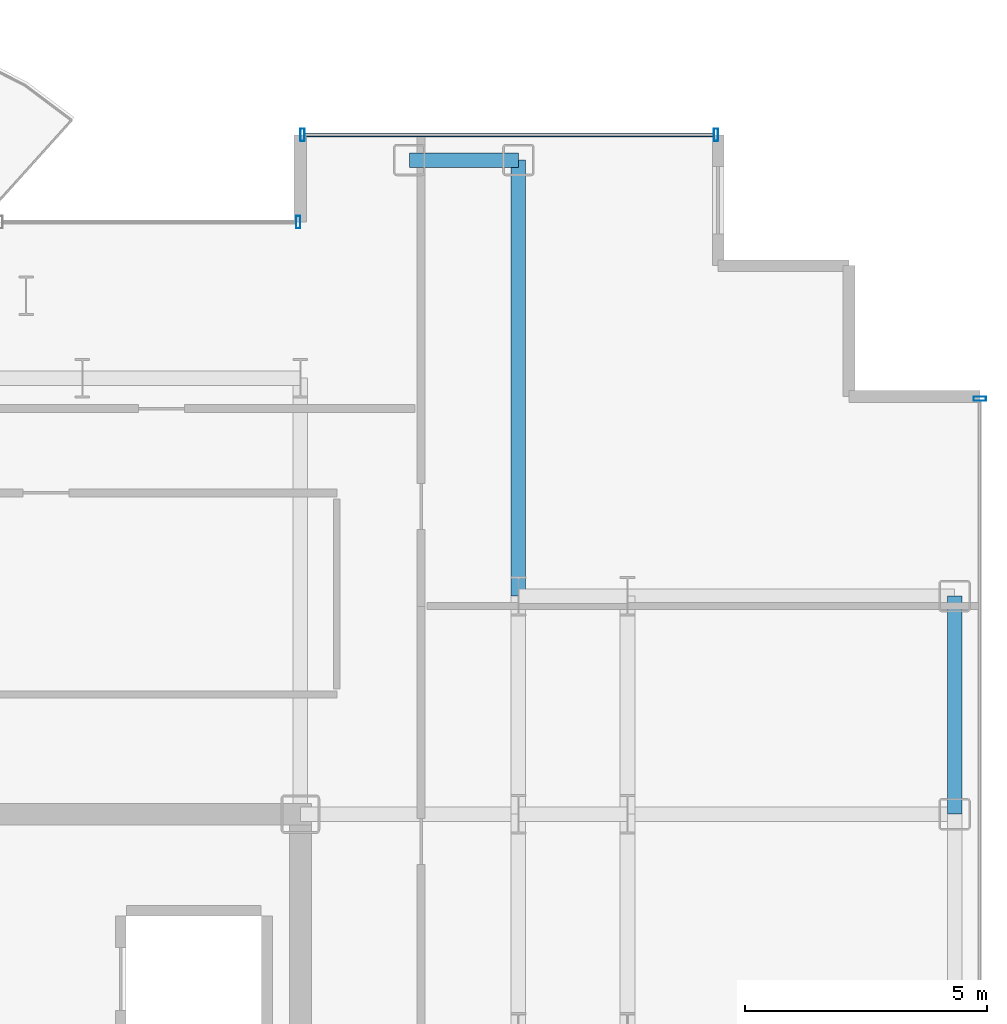
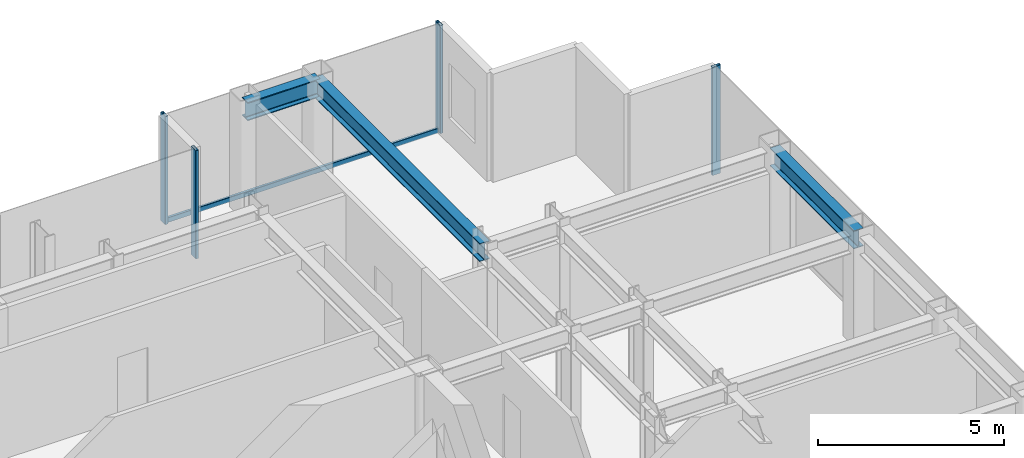
# One storey, part 12 of 20: 5 members, 3 beams, 3 elements without a shape of their own.
"""IFC4 building model written with IfcOpenShell, lengths in metres."""

from ifc_helpers import new_model, si_unit, direction, frame, origin, origin_2d, place, context, subcontext, project, spatial, hollow_rectangle, i_section, extrude, source, transform, mapped, material, layer, layer_set, material_profile, profile_set, type_object, element, aggregate, save


model = new_model("IFC4")

# Units and contexts
model_context = context("Model", 3, precision=1e-05, world=origin(), true_north=direction((0.0, 1.0)))
body_context = subcontext(model_context, "Body", "Model", "MODEL_VIEW")
ifc_project = project(units=[si_unit("LENGTHUNIT", "METRE"), si_unit("AREAUNIT", "SQUARE_METRE"), si_unit("VOLUMEUNIT", "CUBIC_METRE"), si_unit("PLANEANGLEUNIT", "RADIAN"), si_unit("MASSUNIT", "GRAM", prefix="KILO")], contexts=[model_context])

# Site, building, storey
site_placement = place(None, origin())
site = spatial("IfcSite", under=ifc_project, at=site_placement, CompositionType="ELEMENT")
building_placement = place(site_placement, origin())
building = spatial("IfcBuilding", under=site, at=building_placement, Name="Nefas-Gora Pilgrimage Tower", CompositionType="ELEMENT")
storey_placement = place(building_placement, frame((0.0, 0.0, 225.60009765625)))
storey = spatial("IfcBuildingStorey", under=building, at=storey_placement, Name="L56", CompositionType="ELEMENT", Elevation=225.60009765625)

# Beams
ifc_material_1 = material(Name="Steel S355", Category="steel")
ifc_material_profile_1 = material_profile(ifc_material_1, i_section(OverallWidth=0.300048828125, OverallDepth=0.60009765625, WebThickness=0.015380859375, FlangeThickness=0.030029296875, FilletRadius=0.027099609375, at=origin_2d()), Name="HEB 600")
ifc_profile_set_1 = profile_set([ifc_material_profile_1], Name="Steel S355")
beam_type_1 = type_object("IfcBeamType", Name="BM-SPN-HEB450", PredefinedType="SPANDREL", material=ifc_profile_set_1)
shared_shape_1 = source(origin(), body_context, "Body", "SweptSolid", [
    extrude(i_section(OverallWidth=0.300048828125, OverallDepth=0.60009765625, WebThickness=0.015380859375, FlangeThickness=0.030029296875, FilletRadius=0.027099609375, at=origin_2d()), origin(), (0.0, 0.0, 1.0), 4.5),
])
beam_1_placement = place(storey_placement, frame((24.75, 9.0, 3.25), z_axis=(0.0, 1.0, 0.0), x_axis=(-1.0, 0.0, 0.0)))
element("IfcBeam", 1, at=beam_1_placement, inside=storey, type_object=beam_type_1, Name="L56 SP-03 beam", PredefinedType="SPANDREL", context=body_context, shape_type="MappedRepresentation", body=[
    mapped(shared_shape_1, transform((0.0, 0.0, 0.0), x_axis=(1.0, 0.0, 0.0), y_axis=(0.0, 1.0, 0.0), z_axis=(0.0, 0.0, 1.0), scale=1.0)),
])
ifc_material_profile_2 = material_profile(ifc_material_1, i_section(OverallWidth=0.300048828125, OverallDepth=0.60009765625, WebThickness=0.015380859375, FlangeThickness=0.030029296875, FilletRadius=0.027099609375, at=origin_2d()), Name="HEB 600")
ifc_profile_set_2 = profile_set([ifc_material_profile_2], Name="Steel S355")
beam_type_2 = type_object("IfcBeamType", Name="BM-GIR-HEB600", PredefinedType="BEAM", material=ifc_profile_set_2)
shared_shape_2 = source(origin(), body_context, "Body", "SweptSolid", [
    extrude(i_section(OverallWidth=0.300048828125, OverallDepth=0.60009765625, WebThickness=0.015380859375, FlangeThickness=0.030029296875, FilletRadius=0.027099609375, at=origin_2d()), origin(), (0.0, 0.0, 1.0), 9.0),
])
beam_2_placement = place(storey_placement, frame((15.75, 13.5, 3.25), z_axis=(0.0, 1.0, 0.0), x_axis=(-1.0, 0.0, 0.0)))
element("IfcBeam", 2, at=beam_2_placement, inside=storey, type_object=beam_type_2, Name="L56 G-04 beam", PredefinedType="BEAM", context=body_context, shape_type="MappedRepresentation", body=[
    mapped(shared_shape_2, transform((0.0, 0.0, 0.0), x_axis=(1.0, 0.0, 0.0), y_axis=(0.0, 1.0, 0.0), z_axis=(0.0, 0.0, 1.0), scale=1.0)),
])
shared_shape_3 = source(origin(), body_context, "Body", "SweptSolid", [
    extrude(i_section(OverallWidth=0.300048828125, OverallDepth=0.60009765625, WebThickness=0.015380859375, FlangeThickness=0.030029296875, FilletRadius=0.027099609375, at=origin_2d()), origin(), (0.0, 0.0, 1.0), 2.25),
])
beam_3_placement = place(storey_placement, frame((13.5, 22.5, 3.25), z_axis=(1.0, 0.0, 0.0), x_axis=(0.0, 1.0, 0.0)))
element("IfcBeam", 3, at=beam_3_placement, inside=storey, type_object=beam_type_1, Name="L56 SP-03 beam", PredefinedType="SPANDREL", context=body_context, shape_type="MappedRepresentation", body=[
    mapped(shared_shape_3, transform((0.0, 0.0, 0.0), x_axis=(1.0, 0.0, 0.0), y_axis=(0.0, 1.0, 0.0), z_axis=(0.0, 0.0, 1.0), scale=1.0)),
])

# Curtain wall, member
ifc_material_2 = material(Name="Dark ceramic-fritted solar-control aluminium-glass curtain wall", Category="aluminium")
ifc_layer_1 = layer(ifc_material_2, 0.219970703125)
ifc_layer_set_1 = layer_set([ifc_layer_1], Name="Dark ceramic-fritted solar-control aluminium-glass curtain wall")
curtain_wall_type_1 = type_object("IfcCurtainWallType", Name="CW-SYS-5", PredefinedType="NOTDEFINED", material=ifc_layer_set_1)
curtain_wall_1_placement = place(storey_placement, origin())
curtain_wall_1 = element("IfcCurtainWall", 4, at=curtain_wall_1_placement, inside=storey, type_object=curtain_wall_type_1, Name="L56 Unitised Curtain Wall CW5", PredefinedType="NOTDEFINED")
ifc_material_3 = material(Name="Anodised architectural aluminium", Category="aluminium")
ifc_material_profile_3 = material_profile(ifc_material_3, hollow_rectangle(XDim=0.090087890625, YDim=0.260009765625, WallThickness=0.006103515625, InnerFilletRadius=0.006103515625, OuterFilletRadius=0.011962890625, at=origin_2d()), Name="ALU MULLION 90x260")
ifc_profile_set_3 = profile_set([ifc_material_profile_3], Name="Anodised architectural aluminium")
member_type_1 = type_object("IfcMemberType", Name="CWM-MUL-5", PredefinedType="MULLION", material=ifc_profile_set_3)
shared_shape_4 = source(origin(), body_context, "Body", "SweptSolid", [
    extrude(hollow_rectangle(XDim=0.090087890625, YDim=0.260009765625, WallThickness=0.006103515625, InnerFilletRadius=0.006103515625, OuterFilletRadius=0.011962890625, at=origin_2d()), origin(), (0.0, 0.0, 1.0), 3.5498046875),
])
member_1_placement = place(storey_placement, frame((11.205078125, 21.219970703125, 0.0), z_axis=(0.0, 0.0, 1.0), x_axis=(-1.0, 0.0, 0.0)))
member_1 = element("IfcMember", 5, at=member_1_placement, type_object=member_type_1, Name="CW5 Mullion 1", PredefinedType="MULLION", context=body_context, shape_type="MappedRepresentation", body=[
    mapped(shared_shape_4, transform((0.0, 0.0, 0.0), x_axis=(1.0, 0.0, 0.0), y_axis=(0.0, 1.0, 0.0), z_axis=(0.0, 0.0, 1.0), scale=1.0)),
])
aggregate(curtain_wall_1, [member_1])

ifc_layer_2 = layer(ifc_material_2, 0.219970703125)
ifc_layer_set_2 = layer_set([ifc_layer_2], Name="Dark ceramic-fritted solar-control aluminium-glass curtain wall")
curtain_wall_type_2 = type_object("IfcCurtainWallType", Name="CW-SYS-3", PredefinedType="NOTDEFINED", material=ifc_layer_set_2)
curtain_wall_2_placement = place(storey_placement, origin())
curtain_wall_2 = element("IfcCurtainWall", 6, at=curtain_wall_2_placement, inside=storey, type_object=curtain_wall_type_2, Name="L56 Unitised Curtain Wall CW3", PredefinedType="NOTDEFINED")
ifc_material_profile_4 = material_profile(ifc_material_3, hollow_rectangle(XDim=0.080078125, YDim=0.159912109375, WallThickness=0.00439453125, InnerFilletRadius=0.00439453125, OuterFilletRadius=0.009033203125, at=origin_2d()), Name="ALU TRANSOM 80x160")
ifc_profile_set_4 = profile_set([ifc_material_profile_4], Name="Anodised architectural aluminium")
member_type_2 = type_object("IfcMemberType", Name="CWM-TRN-3", PredefinedType="USERDEFINED", material=ifc_profile_set_4)
shared_shape_5 = source(origin(), body_context, "Body", "SweptSolid", [
    extrude(hollow_rectangle(XDim=0.080078125, YDim=0.159912109375, WallThickness=0.00439453125, InnerFilletRadius=0.00439453125, OuterFilletRadius=0.009033203125, at=origin_2d()), origin(), (0.0, 0.0, 1.0), 8.43994140625),
])
member_2_placement = place(storey_placement, frame((19.780029296875, 23.02001953125, 0.0498046875), z_axis=(-1.0, 0.0, 0.0), x_axis=(0.0, -1.0, 0.0)))
member_2 = element("IfcMember", 7, at=member_2_placement, type_object=member_type_2, Name="CW3 Spandrel Transom", ObjectType="TRANSOM", PredefinedType="USERDEFINED", context=body_context, shape_type="MappedRepresentation", body=[
    mapped(shared_shape_5, transform((0.0, 0.0, 0.0), x_axis=(1.0, 0.0, 0.0), y_axis=(0.0, 1.0, 0.0), z_axis=(0.0, 0.0, 1.0), scale=1.0)),
])

curtain_wall_3_placement = place(storey_placement, origin())
curtain_wall_3 = element("IfcCurtainWall", 8, at=curtain_wall_3_placement, inside=storey, type_object=curtain_wall_type_2, Name="L56 Unitised Curtain Wall CW3", PredefinedType="NOTDEFINED")
ifc_material_profile_5 = material_profile(ifc_material_3, hollow_rectangle(XDim=0.090087890625, YDim=0.260009765625, WallThickness=0.006103515625, InnerFilletRadius=0.006103515625, OuterFilletRadius=0.011962890625, at=origin_2d()), Name="ALU MULLION 90x260")
ifc_profile_set_5 = profile_set([ifc_material_profile_5], Name="Anodised architectural aluminium")
member_type_3 = type_object("IfcMemberType", Name="CWM-MUL-3", PredefinedType="MULLION", material=ifc_profile_set_5)
shared_shape_6 = source(origin(), body_context, "Body", "SweptSolid", [
    extrude(hollow_rectangle(XDim=0.090087890625, YDim=0.260009765625, WallThickness=0.006103515625, InnerFilletRadius=0.006103515625, OuterFilletRadius=0.011962890625, at=origin_2d()), origin(), (0.0, 0.0, 1.0), 3.5498046875),
])
member_3_placement = place(storey_placement, frame((25.27001953125, 17.574951171875, 0.0), z_axis=(0.0, 0.0, 1.0), x_axis=(0.0, 1.0, 0.0)))
member_3 = element("IfcMember", 9, at=member_3_placement, type_object=member_type_3, Name="CW3 Mullion 2", PredefinedType="MULLION", context=body_context, shape_type="MappedRepresentation", body=[
    mapped(shared_shape_6, transform((0.0, 0.0, 0.0), x_axis=(1.0, 0.0, 0.0), y_axis=(0.0, 1.0, 0.0), z_axis=(0.0, 0.0, 1.0), scale=1.0)),
])
aggregate(curtain_wall_3, [member_3])

# Member
member_4_placement = place(storey_placement, frame((19.824951171875, 23.02001953125, 0.0), z_axis=(0.0, 0.0, 1.0), x_axis=(-1.0, 0.0, 0.0)))
member_4 = element("IfcMember", 10, at=member_4_placement, type_object=member_type_3, Name="CW3 Mullion 1", PredefinedType="MULLION", context=body_context, shape_type="MappedRepresentation", body=[
    mapped(shared_shape_6, transform((0.0, 0.0, 0.0), x_axis=(1.0, 0.0, 0.0), y_axis=(0.0, 1.0, 0.0), z_axis=(0.0, 0.0, 1.0), scale=1.0)),
])

member_5_placement = place(storey_placement, frame((11.294921875, 23.02001953125, 0.0), z_axis=(0.0, 0.0, 1.0), x_axis=(-1.0, 0.0, 0.0)))
member_5 = element("IfcMember", 11, at=member_5_placement, type_object=member_type_3, Name="CW3 Mullion 2", PredefinedType="MULLION", context=body_context, shape_type="MappedRepresentation", body=[
    mapped(shared_shape_6, transform((0.0, 0.0, 0.0), x_axis=(1.0, 0.0, 0.0), y_axis=(0.0, 1.0, 0.0), z_axis=(0.0, 0.0, 1.0), scale=1.0)),
])

aggregate(curtain_wall_2, [member_4, member_5, member_2])

save(model, "model.ifc")
